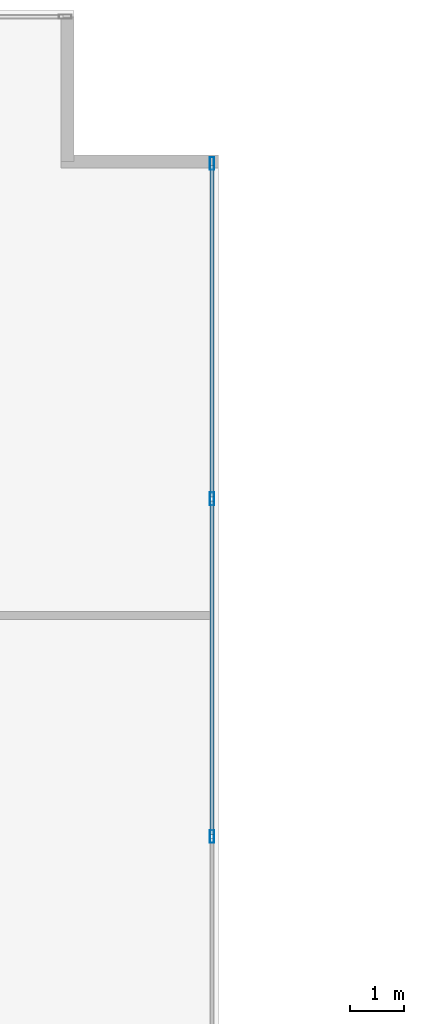
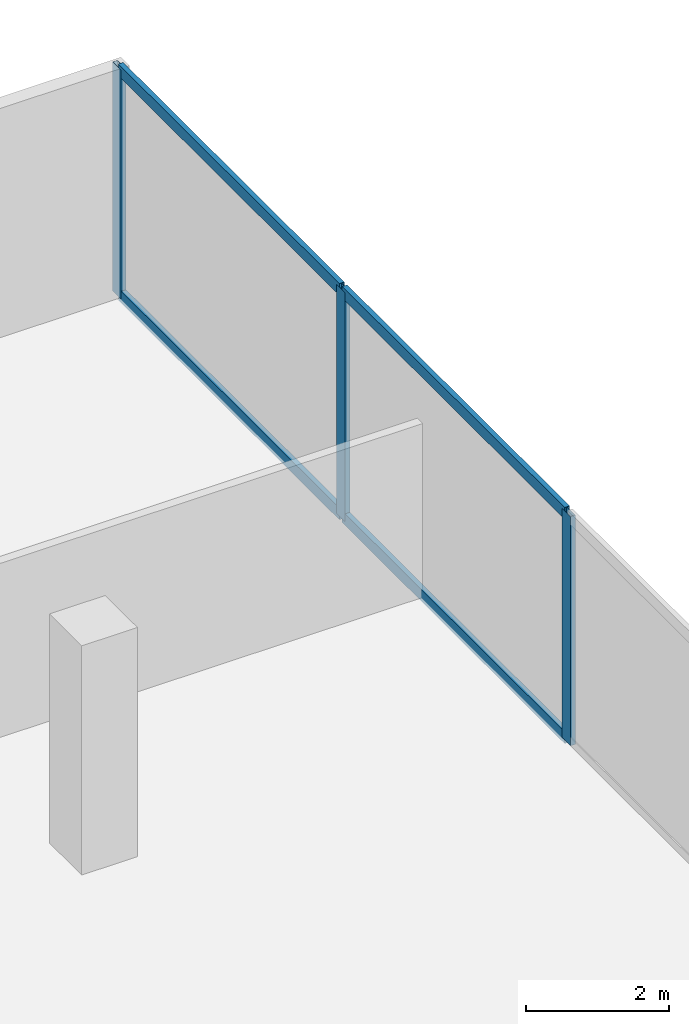
# One storey, part 14 of 29: 7 members, 1 element without a shape of its own.
"""IFC4 building model written with IfcOpenShell, lengths in metres."""

from ifc_helpers import new_model, si_unit, direction, frame, origin, origin_2d, place, context, subcontext, project, spatial, hollow_rectangle, extrude, material, material_profile, profile_set, type_object, element, aggregate, save


model = new_model("IFC4")

# Units and contexts
model_context = context("Model", 3, precision=1e-05, world=origin(), true_north=direction((0.0, 1.0)))
body_context = subcontext(model_context, "Body", "Model", "MODEL_VIEW")
ifc_project = project(units=[si_unit("LENGTHUNIT", "METRE"), si_unit("AREAUNIT", "SQUARE_METRE"), si_unit("VOLUMEUNIT", "CUBIC_METRE"), si_unit("PLANEANGLEUNIT", "RADIAN"), si_unit("MASSUNIT", "GRAM", prefix="KILO")], contexts=[model_context])

# Site, building, storey
site_placement = place(None, origin())
site = spatial("IfcSite", under=ifc_project, at=site_placement, CompositionType="ELEMENT")
building_placement = place(site_placement, origin())
building = spatial("IfcBuilding", under=site, at=building_placement, Name="Cobrela Telecom Tower", CompositionType="ELEMENT")
storey_placement = place(building_placement, frame((0.0, 0.0, 13.64990234375)))
storey = spatial("IfcBuildingStorey", under=building, at=storey_placement, Name="L03", CompositionType="ELEMENT", Elevation=13.64990234375)

# Curtain wall, members
ifc_material = material(Name="Anodized Bronze Aluminium 6063-T6", Category="aluminium")
curtain_wall_type = type_object("IfcCurtainWallType", Name="CW-SYS-CONC", PredefinedType="USERDEFINED", material=ifc_material)
curtain_wall_placement = place(storey_placement, origin())
curtain_wall = element("IfcCurtainWall", 1, at=curtain_wall_placement, inside=storey, type_object=curtain_wall_type, Name="L03 Unitised Bronze Curtain Wall 10", ObjectType="UNITISED CURTAIN WALL", PredefinedType="USERDEFINED")
ifc_material_profile_1 = material_profile(ifc_material, hollow_rectangle(XDim=0.080078125, YDim=0.239990234375, WallThickness=0.0048828125, at=origin_2d()), Name="ALU 80x240x5")
ifc_profile_set_1 = profile_set([ifc_material_profile_1], Name="Anodized Bronze Aluminium 6063-T6")
member_type_1 = type_object("IfcMemberType", Name="CW-SYS-CONC-MUL", PredefinedType="MULLION", material=ifc_profile_set_1)
member_1_placement = place(storey_placement, frame((50.280029296875, 47.5400390625, 0.0), z_axis=(0.0, 0.0, 1.0), x_axis=(1.0, 0.0, 0.0)))
member_1 = element("IfcMember", 2, at=member_1_placement, type_object=member_type_1, Name="CW-CONC mullion 1", PredefinedType="MULLION", context=body_context, shape_type="SweptSolid", body=[
    extrude(hollow_rectangle(XDim=0.080078125, YDim=0.239990234375, WallThickness=0.0048828125, at=origin_2d()), origin(), (0.0, 0.0, 1.0), 3.91015625),
])
member_2_placement = place(storey_placement, frame((50.280029296875, 41.280029296875, 0.0), z_axis=(0.0, 0.0, 1.0), x_axis=(1.0, 0.0, 0.0)))
member_2 = element("IfcMember", 3, at=member_2_placement, type_object=member_type_1, Name="CW-CONC mullion 2", PredefinedType="MULLION", context=body_context, shape_type="SweptSolid", body=[
    extrude(hollow_rectangle(XDim=0.080078125, YDim=0.239990234375, WallThickness=0.0048828125, at=origin_2d()), origin(), (0.0, 0.0, 1.0), 3.91015625),
])
member_3_placement = place(storey_placement, frame((50.280029296875, 34.97998046875, 0.0), z_axis=(0.0, 0.0, 1.0), x_axis=(1.0, 0.0, 0.0)))
member_3 = element("IfcMember", 4, at=member_3_placement, type_object=member_type_1, Name="CW-CONC mullion 3", PredefinedType="MULLION", context=body_context, shape_type="SweptSolid", body=[
    extrude(hollow_rectangle(XDim=0.080078125, YDim=0.239990234375, WallThickness=0.0048828125, at=origin_2d()), origin(), (0.0, 0.0, 1.0), 3.91015625),
])
ifc_material_profile_2 = material_profile(ifc_material, hollow_rectangle(XDim=0.080078125, YDim=0.199951171875, WallThickness=0.00390625, at=origin_2d()), Name="ALU 80x200x4")
ifc_profile_set_2 = profile_set([ifc_material_profile_2], Name="Anodized Bronze Aluminium 6063-T6")
member_type_2 = type_object("IfcMemberType", Name="CW-SYS-CONC-TRN", PredefinedType="USERDEFINED", material=ifc_profile_set_2)
member_4_placement = place(storey_placement, frame((50.280029296875, 47.5, 0.0400390625), z_axis=(0.0, -1.0, 0.0), x_axis=(1.0, 0.0, 0.0)))
member_4 = element("IfcMember", 5, at=member_4_placement, type_object=member_type_2, Name="CW-CONC transom 1.1", ObjectType="TRANSOM", PredefinedType="USERDEFINED", context=body_context, shape_type="SweptSolid", body=[
    extrude(hollow_rectangle(XDim=0.080078125, YDim=0.199951171875, WallThickness=0.00390625, at=origin_2d()), origin(), (0.0, 0.0, 1.0), 6.179931640625),
])
member_5_placement = place(storey_placement, frame((50.280029296875, 47.5, 3.8701171875), z_axis=(0.0, -1.0, 0.0), x_axis=(1.0, 0.0, 0.0)))
member_5 = element("IfcMember", 6, at=member_5_placement, type_object=member_type_2, Name="CW-CONC transom 1.2", ObjectType="TRANSOM", PredefinedType="USERDEFINED", context=body_context, shape_type="SweptSolid", body=[
    extrude(hollow_rectangle(XDim=0.080078125, YDim=0.199951171875, WallThickness=0.00390625, at=origin_2d()), origin(), (0.0, 0.0, 1.0), 6.179931640625),
])
member_6_placement = place(storey_placement, frame((50.280029296875, 41.239990234375, 0.0400390625), z_axis=(0.0, -1.0, 0.0), x_axis=(1.0, 0.0, 0.0)))
member_6 = element("IfcMember", 7, at=member_6_placement, type_object=member_type_2, Name="CW-CONC transom 2.1", ObjectType="TRANSOM", PredefinedType="USERDEFINED", context=body_context, shape_type="SweptSolid", body=[
    extrude(hollow_rectangle(XDim=0.080078125, YDim=0.199951171875, WallThickness=0.00390625, at=origin_2d()), origin(), (0.0, 0.0, 1.0), 6.219970703125),
])
member_7_placement = place(storey_placement, frame((50.280029296875, 41.239990234375, 3.8701171875), z_axis=(0.0, -1.0, 0.0), x_axis=(1.0, 0.0, 0.0)))
member_7 = element("IfcMember", 8, at=member_7_placement, type_object=member_type_2, Name="CW-CONC transom 2.2", ObjectType="TRANSOM", PredefinedType="USERDEFINED", context=body_context, shape_type="SweptSolid", body=[
    extrude(hollow_rectangle(XDim=0.080078125, YDim=0.199951171875, WallThickness=0.00390625, at=origin_2d()), origin(), (0.0, 0.0, 1.0), 6.219970703125),
])
aggregate(curtain_wall, [member_1, member_2, member_3, member_4, member_5, member_6, member_7])

save(model, "model.ifc")
